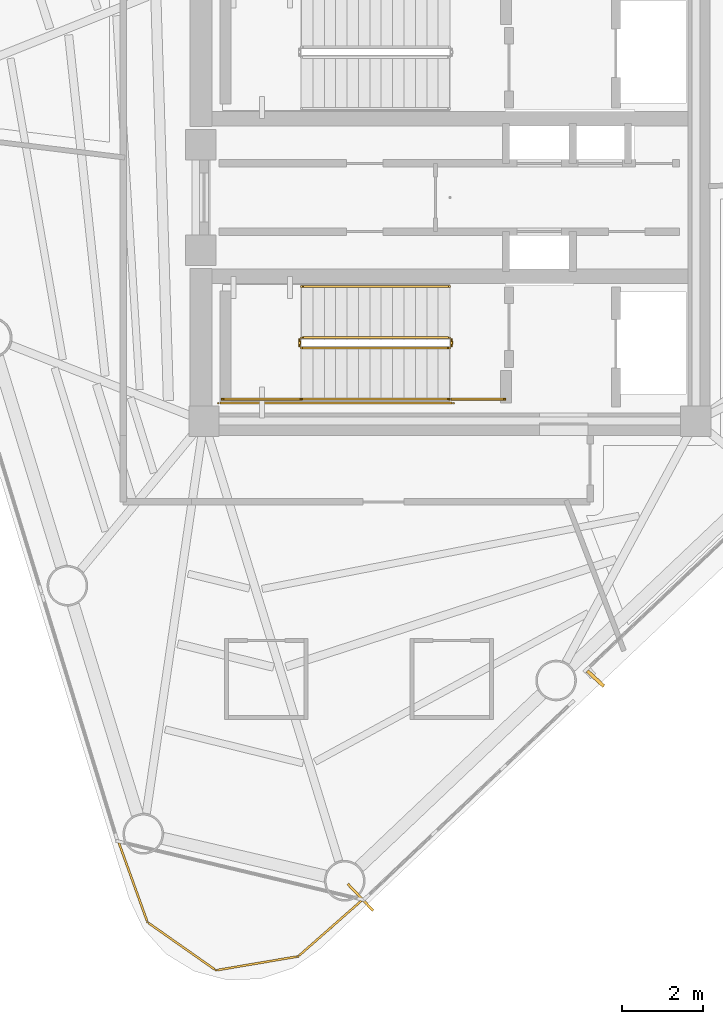
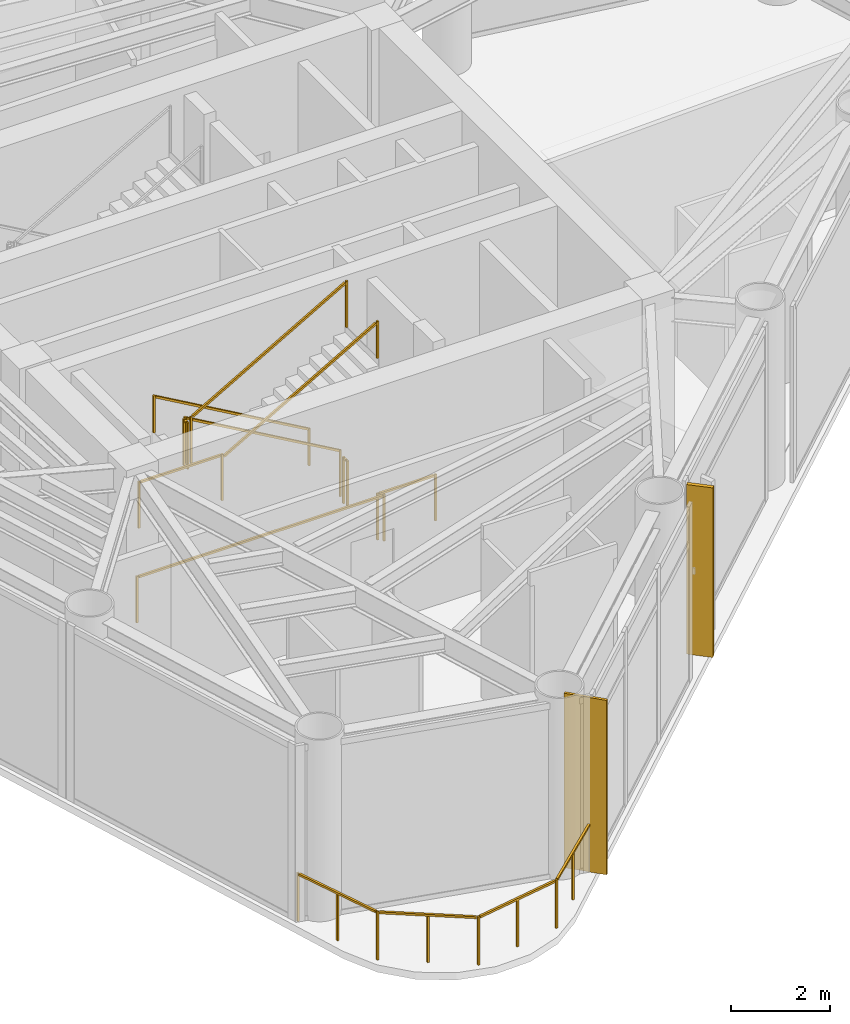
# One storey, part 8 of 11: 10 railings, 1 covering, 1 shading device.
"""IFC4 building model written with IfcOpenShell, lengths in metres."""

from ifc_helpers import new_model, si_unit, direction, frame, origin, origin_2d, place, context, subcontext, project, spatial, rectangle, extrude, source, transform, mapped, material, layer, layer_set, material_profile, profile_set, type_object, element, save


model = new_model("IFC4")

# Units and contexts
model_context = context("Model", 3, precision=1e-05, world=origin(), true_north=direction((0.0, 1.0)))
body_context = subcontext(model_context, "Body", "Model", "MODEL_VIEW")
ifc_project = project(units=[si_unit("LENGTHUNIT", "METRE"), si_unit("AREAUNIT", "SQUARE_METRE"), si_unit("VOLUMEUNIT", "CUBIC_METRE"), si_unit("PLANEANGLEUNIT", "RADIAN"), si_unit("MASSUNIT", "GRAM", prefix="KILO")], contexts=[model_context])

# Site, building, storey
site_placement = place(None, origin())
site = spatial("IfcSite", under=ifc_project, at=site_placement, CompositionType="ELEMENT")
building_placement = place(site_placement, origin())
building = spatial("IfcBuilding", under=site, at=building_placement, Name="Yunling Apex Tower", CompositionType="ELEMENT")
storey_placement = place(building_placement, frame((0.0, 0.0, 224.14990234375)))
storey = spatial("IfcBuildingStorey", under=building, at=storey_placement, Name="L54", CompositionType="ELEMENT", Elevation=224.14990234375)

# Railings
ifc_material_1 = material(Name="Bronze anodised aluminium", Category="aluminium")
railing_type_1 = type_object("IfcRailingType", Name="RL-BAL-1200", PredefinedType="BALUSTRADE", material=ifc_material_1)
railing_1_placement = place(storey_placement, frame((-2.147216796875, -17.2724609375, 0.0)))
element("IfcRailing", 1, at=railing_1_placement, inside=storey, type_object=railing_type_1, Name="RL-CRNSILL-L54-3", PredefinedType="BALUSTRADE", context=body_context, shape_type="SweptSolid", body=[
    extrude(rectangle(XDim=0.0439453125, YDim=0.0439453125, at=origin_2d()), origin(), (0.0, 0.0, 1.0), 1.199951171875),
    extrude(rectangle(XDim=0.0439453125, YDim=0.0439453125, at=origin_2d()), frame((-1.58740234375, -1.396728515625, 0.0)), (0.0, 0.0, 1.0), 1.199951171875),
    extrude(rectangle(XDim=0.050048828125, YDim=0.050048828125, at=origin_2d()), frame((-0.02880859375, -0.025390625, 1.1748046875), z_axis=(-0.750757036125, -0.660578437968, 0.0), x_axis=(0.660578437968, -0.750757036125, 0.0)), (0.0, 0.0, 1.0), 2.037841796875),
    extrude(rectangle(XDim=0.0439453125, YDim=0.0439453125, at=origin_2d()), frame((-0.793701171875, -0.6982421875, 0.0)), (0.0, 0.0, 1.0), 1.14599609375),
    extrude(rectangle(XDim=0.0439453125, YDim=0.0439453125, at=origin_2d()), frame((-3.609130859375, -1.738525390625, 0.0)), (0.0, 0.0, 1.0), 1.199951171875),
    extrude(rectangle(XDim=0.050048828125, YDim=0.050048828125, at=origin_2d()), frame((-1.625244140625, -1.403076171875, 1.1748046875), z_axis=(-0.986008296857, -0.166696246299, 0.0), x_axis=(0.166696246299, -0.986008296857, 0.0)), (0.0, 0.0, 1.0), 1.973876953125),
    extrude(rectangle(XDim=0.0439453125, YDim=0.0439453125, at=origin_2d()), frame((-2.59814453125, -1.567626953125, 0.0)), (0.0, 0.0, 1.0), 1.14599609375),
    extrude(rectangle(XDim=0.0439453125, YDim=0.0439453125, at=origin_2d()), frame((-5.29296875, -0.556884765625, 0.0)), (0.0, 0.0, 1.0), 1.199951171875),
    extrude(rectangle(XDim=0.050048828125, YDim=0.050048828125, at=origin_2d()), frame((-3.640625, -1.716552734375, 1.1748046875), z_axis=(-0.818556692462, 0.574425749096, 0.0), x_axis=(-0.574425749096, -0.818556692462, 0.0)), (0.0, 0.0, 1.0), 1.98046875),
    extrude(rectangle(XDim=0.0439453125, YDim=0.0439453125, at=origin_2d()), frame((-4.451171875, -1.147705078125, 0.0)), (0.0, 0.0, 1.0), 1.14599609375),
    extrude(rectangle(XDim=0.0439453125, YDim=0.0439453125, at=origin_2d()), frame((-6.0087890625, 1.431884765625, 0.0)), (0.0, 0.0, 1.0), 1.199951171875),
    extrude(rectangle(XDim=0.050048828125, YDim=0.050048828125, at=origin_2d()), frame((-5.305908203125, -0.520751953125, 1.1748046875), z_axis=(-0.338662205699, 0.940908024427, 0.0), x_axis=(-0.940908024427, -0.338662205699, 0.0)), (0.0, 0.0, 1.0), 2.037109375),
    extrude(rectangle(XDim=0.0439453125, YDim=0.0439453125, at=origin_2d()), frame((-5.65087890625, 0.4375, 0.0)), (0.0, 0.0, 1.0), 1.14599609375),
])
ifc_material_2 = material(Name="Steel Q355B", Category="steel")
railing_type_2 = type_object("IfcRailingType", Name="RL-GRD-1150", PredefinedType="GUARDRAIL", material=ifc_material_2)
railing_2_placement = place(storey_placement, frame((-0.010009765625, -3.449951171875, 0.160888671875)))
element("IfcRailing", 2, at=railing_2_placement, inside=storey, type_object=railing_type_2, Name="L54 ST-2 stair guard 1", PredefinedType="GUARDRAIL", context=body_context, shape_type="SweptSolid", body=[
    extrude(rectangle(XDim=0.0439453125, YDim=0.0439453125, at=origin_2d()), origin(), (0.0, 0.0, 1.0), 1.14990234375),
    extrude(rectangle(XDim=0.0439453125, YDim=0.0439453125, at=origin_2d()), frame((-3.639892578125, 0.0, 2.089111328125)), (0.0, 0.0, 1.0), 1.14990234375),
    extrude(rectangle(XDim=0.050048828125, YDim=0.050048828125, at=origin_2d()), frame((-0.033203125, 0.0, 1.14404296875), z_axis=(-0.867300072446, 0.0, 0.497785681127), x_axis=(0.0, -1.0, 0.0)), (0.0, 0.0, 1.0), 4.1201171875),
])
railing_3_placement = place(storey_placement, frame((-3.699951171875, -3.5, 2.25)))
element("IfcRailing", 3, at=railing_3_placement, inside=storey, type_object=railing_type_2, Name="L54 ST-2 stair guard 2", PredefinedType="GUARDRAIL", context=body_context, shape_type="SweptSolid", body=[
    extrude(rectangle(XDim=0.0439453125, YDim=0.0439453125, at=origin_2d()), origin(), (0.0, 0.0, 1.0), 1.14990234375),
    extrude(rectangle(XDim=0.0439453125, YDim=0.0439453125, at=origin_2d()), frame((0.0, -0.14990234375, 0.0)), (0.0, 0.0, 1.0), 1.14990234375),
    extrude(rectangle(XDim=0.050048828125, YDim=0.050048828125, at=origin_2d()), frame((0.0, -0.038330078125, 1.125), z_axis=(0.0, -1.0, 0.0), x_axis=(1.0, 0.0, 0.0)), (0.0, 0.0, 1.0), 0.0732421875),
])
railing_4_placement = place(storey_placement, frame((-3.64990234375, -4.9599609375, 2.25)))
element("IfcRailing", 4, at=railing_4_placement, inside=storey, type_object=railing_type_2, Name="L54 ST-2 stair guard 3", PredefinedType="GUARDRAIL", context=body_context, shape_type="SweptSolid", body=[
    extrude(rectangle(XDim=0.0439453125, YDim=0.0439453125, at=origin_2d()), origin(), (0.0, 0.0, 1.0), 1.14990234375),
    extrude(rectangle(XDim=0.0439453125, YDim=0.0439453125, at=origin_2d()), frame((-1.9501953125, 0.0, 0.0)), (0.0, 0.0, 1.0), 1.14990234375),
    extrude(rectangle(XDim=0.050048828125, YDim=0.050048828125, at=origin_2d()), frame((-0.038330078125, 0.0, 1.125), z_axis=(-1.0, 0.0, 0.0), x_axis=(0.0, -1.0, 0.0)), (0.0, 0.0, 1.0), 1.87353515625),
])
railing_5_placement = place(storey_placement, frame((-3.64990234375, -3.699951171875, 2.410888671875)))
element("IfcRailing", 5, at=railing_5_placement, inside=storey, type_object=railing_type_2, Name="L54 ST-2 stair guard 4", PredefinedType="GUARDRAIL", context=body_context, shape_type="SweptSolid", body=[
    extrude(rectangle(XDim=0.0439453125, YDim=0.0439453125, at=origin_2d()), origin(), (0.0, 0.0, 1.0), 1.14990234375),
    extrude(rectangle(XDim=0.0439453125, YDim=0.0439453125, at=origin_2d()), frame((3.639892578125, 0.0, 2.089111328125)), (0.0, 0.0, 1.0), 1.14990234375),
    extrude(rectangle(XDim=0.050048828125, YDim=0.050048828125, at=origin_2d()), frame((0.033203125, 0.0, 1.14404296875), z_axis=(0.867300072446, 0.0, 0.497785681127), x_axis=(0.0, 1.0, 0.0)), (0.0, 0.0, 1.0), 4.1201171875),
])
railing_6_placement = place(storey_placement, frame((0.0400390625, -3.5, 0.0)))
element("IfcRailing", 6, at=railing_6_placement, inside=storey, type_object=railing_type_2, Name="L54 ST-2 stair guard 5", PredefinedType="GUARDRAIL", context=body_context, shape_type="SweptSolid", body=[
    extrude(rectangle(XDim=0.0439453125, YDim=0.0439453125, at=origin_2d()), origin(), (0.0, 0.0, 1.0), 1.14990234375),
    extrude(rectangle(XDim=0.0439453125, YDim=0.0439453125, at=origin_2d()), frame((0.0, -0.14990234375, 0.0)), (0.0, 0.0, 1.0), 1.14990234375),
    extrude(rectangle(XDim=0.050048828125, YDim=0.050048828125, at=origin_2d()), frame((0.0, -0.038330078125, 1.125), z_axis=(0.0, -1.0, 0.0), x_axis=(1.0, 0.0, 0.0)), (0.0, 0.0, 1.0), 0.0732421875),
])
railing_7_placement = place(storey_placement, frame((1.35009765625, -4.9599609375, 0.0)))
element("IfcRailing", 7, at=railing_7_placement, inside=storey, type_object=railing_type_2, Name="L54 ST-2 stair guard 6", PredefinedType="GUARDRAIL", context=body_context, shape_type="SweptSolid", body=[
    extrude(rectangle(XDim=0.0439453125, YDim=0.0439453125, at=origin_2d()), origin(), (0.0, 0.0, 1.0), 1.14990234375),
    extrude(rectangle(XDim=0.0439453125, YDim=0.0439453125, at=origin_2d()), frame((-1.360107421875, 0.0, 0.0)), (0.0, 0.0, 1.0), 1.14990234375),
    extrude(rectangle(XDim=0.050048828125, YDim=0.050048828125, at=origin_2d()), frame((-0.038330078125, 0.0, 1.125), z_axis=(-1.0, 0.0, 0.0), x_axis=(0.0, -1.0, 0.0)), (0.0, 0.0, 1.0), 1.283447265625),
])
railing_8_placement = place(storey_placement, frame((0.090087890625, -5.06005859375, 0.0)))
element("IfcRailing", 8, at=railing_8_placement, inside=storey, type_object=railing_type_2, Name="L54 ST-2 stair guard 7", PredefinedType="GUARDRAIL", context=body_context, shape_type="SweptSolid", body=[
    extrude(rectangle(XDim=0.0439453125, YDim=0.0439453125, at=origin_2d()), origin(), (0.0, 0.0, 1.0), 1.14990234375),
    extrude(rectangle(XDim=0.0439453125, YDim=0.0439453125, at=origin_2d()), frame((-5.7900390625, 0.0, 0.0)), (0.0, 0.0, 1.0), 1.14990234375),
    extrude(rectangle(XDim=0.050048828125, YDim=0.050048828125, at=origin_2d()), frame((-0.038330078125, 0.0, 1.125), z_axis=(-1.0, 0.0, 0.0), x_axis=(0.0, -1.0, 0.0)), (0.0, 0.0, 1.0), 5.71337890625),
])
ifc_material_3 = material(Name="Silver anodised aluminium", Category="aluminium")
railing_type_3 = type_object("IfcRailingType", Name="RL-HND-900", PredefinedType="HANDRAIL", material=ifc_material_3)
railing_9_placement = place(storey_placement, frame((-0.010009765625, -2.18994140625, 0.160888671875)))
element("IfcRailing", 9, at=railing_9_placement, inside=storey, type_object=railing_type_3, Name="L54 ST-2 stair handrail 1", PredefinedType="HANDRAIL", context=body_context, shape_type="SweptSolid", body=[
    extrude(rectangle(XDim=0.0439453125, YDim=0.0439453125, at=origin_2d()), origin(), (0.0, 0.0, 1.0), 0.919921875),
    extrude(rectangle(XDim=0.0439453125, YDim=0.0439453125, at=origin_2d()), frame((-3.639892578125, 0.0, 2.089111328125)), (0.0, 0.0, 1.0), 0.919921875),
    extrude(rectangle(XDim=0.050048828125, YDim=0.050048828125, at=origin_2d()), frame((-0.033203125, 0.0, 0.9140625), z_axis=(-0.867300072446, 0.0, 0.497785681127), x_axis=(0.0, -1.0, 0.0)), (0.0, 0.0, 1.0), 4.1201171875),
])
railing_10_placement = place(storey_placement, frame((-3.64990234375, -4.9599609375, 2.410888671875)))
element("IfcRailing", 10, at=railing_10_placement, inside=storey, type_object=railing_type_3, Name="L54 ST-2 stair handrail 2", PredefinedType="HANDRAIL", context=body_context, shape_type="SweptSolid", body=[
    extrude(rectangle(XDim=0.0439453125, YDim=0.0439453125, at=origin_2d()), origin(), (0.0, 0.0, 1.0), 0.919921875),
    extrude(rectangle(XDim=0.0439453125, YDim=0.0439453125, at=origin_2d()), frame((3.639892578125, 0.0, 2.089111328125)), (0.0, 0.0, 1.0), 0.919921875),
    extrude(rectangle(XDim=0.050048828125, YDim=0.050048828125, at=origin_2d()), frame((0.033203125, 0.0, 0.9140625), z_axis=(0.867300072446, 0.0, 0.497785681127), x_axis=(0.0, 1.0, 0.0)), (0.0, 0.0, 1.0), 4.1201171875),
])

# Covering
ifc_layer = layer(ifc_material_1, 0.0400390625)
ifc_layer_set = layer_set([ifc_layer], Name="Bronze anodised aluminium")
covering_type = type_object("IfcCoveringType", Name="CV-CLD-1", PredefinedType="CLADDING", material=ifc_layer_set)
shared_shape_1 = source(origin(), body_context, "Body", "SweptSolid", [
    extrude(rectangle(XDim=0.06005859375, YDim=0.89990234375, at=origin_2d()), origin(), (0.0, 0.0, 1.0), 4.320068359375),
])
covering_placement = place(storey_placement, frame((-2.2021484375, -17.21435546875, 0.0), z_axis=(0.0, 0.0, 1.0), x_axis=(0.725854756355, 0.687848001144, 0.0)))
element("IfcCovering", 11, at=covering_placement, inside=storey, type_object=covering_type, Name="CV-CLD-L54", PredefinedType="CLADDING", context=body_context, shape_type="MappedRepresentation", body=[
    mapped(shared_shape_1, transform((0.0, 0.0, 0.0), scale=1.0)),
])

# Shading device
ifc_material_profile = material_profile(ifc_material_1, rectangle(XDim=0.0849609375, YDim=0.550048828125, at=origin_2d()))
ifc_profile_set = profile_set([ifc_material_profile], Name="Bronze anodised aluminium")
shading_device_type = type_object("IfcShadingDeviceType", Name="FN-BRZ-3", PredefinedType="USERDEFINED", material=ifc_profile_set)
shared_shape_2 = source(origin(), body_context, "Body", "SweptSolid", [
    extrude(rectangle(XDim=0.0849609375, YDim=0.550048828125, at=origin_2d()), origin(), (0.0, 0.0, 1.0), 4.199951171875),
])
shading_device_placement = place(storey_placement, frame((3.5830078125, -11.83544921875, 0.06005859375), z_axis=(0.0, 0.0, 1.0), x_axis=(0.679313233894, 0.733848438205, 0.0)))
element("IfcShadingDevice", 12, at=shading_device_placement, inside=storey, type_object=shading_device_type, Name="CW-L54-F1-B2-FIN-01", ObjectType="FIN", PredefinedType="USERDEFINED", context=body_context, shape_type="MappedRepresentation", body=[
    mapped(shared_shape_2, transform((0.0, 0.0, 0.0), scale=1.0)),
])

save(model, "model.ifc")
